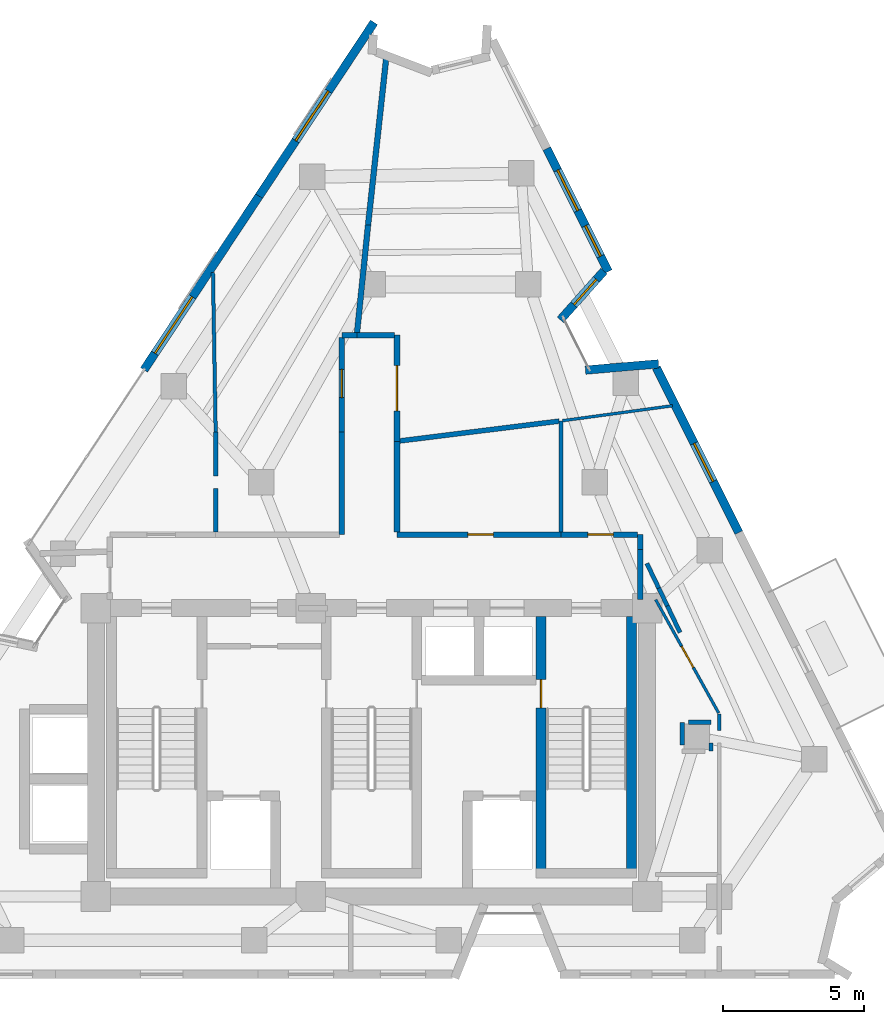
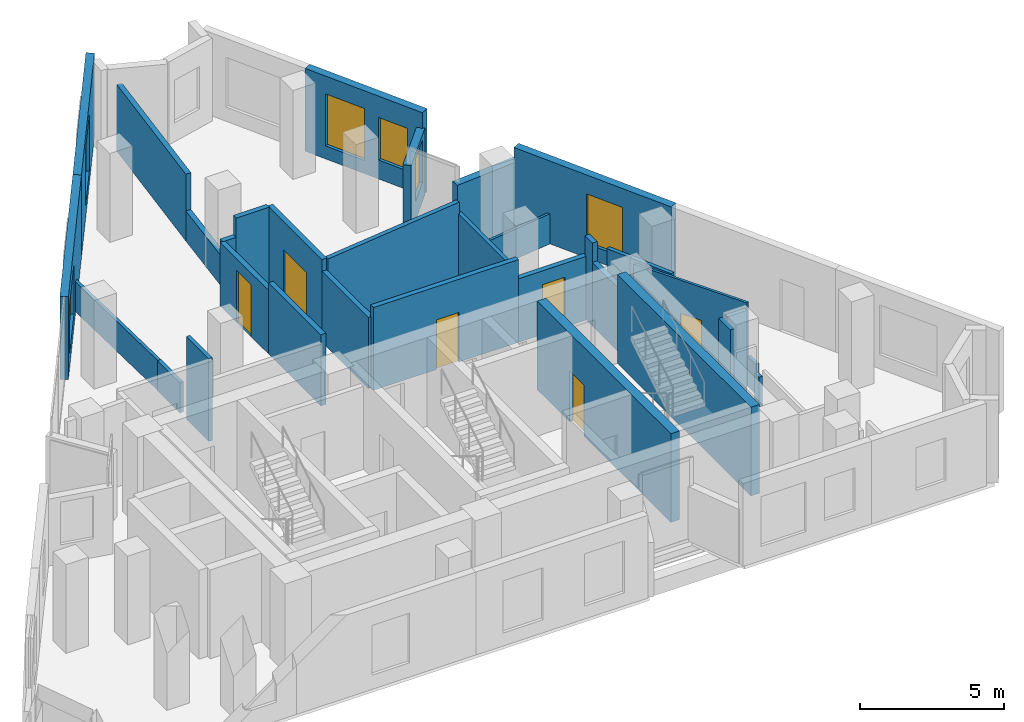
# One storey, part 6 of 9: 34 walls, 6 doors, 6 windows, 12 openings.
"""IFC4 building model written with IfcOpenShell, lengths in metres."""

from ifc_helpers import new_model, si_unit, direction, frame, frame_2d, origin, place, context, subcontext, project, spatial, rectangle, extrude, material, layer, layer_set, type_object, element, fill, save


model = new_model("IFC4")

# Units and contexts
model_context = context("Model", 3, precision=1e-05, world=origin(), true_north=direction((0.0, 1.0)))
body_context = subcontext(model_context, "Body", "Model", "MODEL_VIEW")
ifc_project = project(units=[si_unit("LENGTHUNIT", "METRE"), si_unit("AREAUNIT", "SQUARE_METRE"), si_unit("VOLUMEUNIT", "CUBIC_METRE"), si_unit("PLANEANGLEUNIT", "RADIAN"), si_unit("MASSUNIT", "GRAM", prefix="KILO")], contexts=[model_context])

# Site, building, storey
site_placement = place(None, origin())
site = spatial("IfcSite", under=ifc_project, at=site_placement, CompositionType="ELEMENT")
building_placement = place(site_placement, origin())
building = spatial("IfcBuilding", under=site, at=building_placement, Name="Almagre Mirador Tower", CompositionType="ELEMENT")
storey_placement = place(building_placement, frame((0.0, 0.0, 267.0)))
storey = spatial("IfcBuildingStorey", under=building, at=storey_placement, Name="L69", CompositionType="ELEMENT", Elevation=267.0)

# Wall, opening, window
ifc_material_1 = material(Name="Precast concrete C50/60", Category="concrete")
ifc_layer_1 = layer(ifc_material_1, 0.300048828125)
ifc_layer_set_1 = layer_set([ifc_layer_1], Name="Precast concrete C50/60")
wall_type_1 = type_object("IfcWallType", Name="WAL-EXT-300", PredefinedType="SOLIDWALL", material=ifc_layer_set_1)
wall_1_placement = place(storey_placement, frame((29.254638671875, 23.17578125, 0.0), z_axis=(0.0, 0.0, 1.0), x_axis=(0.552090496284, 0.833784195048, 0.0)))
wall_1 = element("IfcWall", 1, at=wall_1_placement, inside=storey, type_object=wall_type_1, Name="L69 expressed almagre precast frame wall 03", PredefinedType="SOLIDWALL", context=body_context, shape_type="SweptSolid", body=[
    extrude(rectangle(XDim=7.369384765625, YDim=0.300048828125, at=frame_2d((3.6845703125, 0.0))), origin(), (0.0, 0.0, 1.0), 3.5),
])
opening_1_placement = place(wall_1_placement, frame((0.699951171875, 0.0, 0.60009765625)))
opening_1 = element("IfcOpeningElement", 2, at=opening_1_placement, cuts=wall_1, Name="Opening WN-02", PredefinedType="OPENING", context=body_context, shape_type="SweptSolid", body=[
    extrude(rectangle(XDim=2.39990234375, YDim=2.10009765625, at=frame_2d((1.199951171875, 1.050048828125))), frame((0.0, 0.159902, 0.0), z_axis=(0.0, -1.0, 0.0), x_axis=(1.0, 0.0, 0.0)), (0.0, 0.0, 1.0), 0.320049),
])
ifc_material_2 = material(Name="Dark solar-control laminated hurricane glass", Category="glass")
window_type_1 = type_object("IfcWindowType", Name="WIN-2400X2100", PartitioningType="TRIPLE_PANEL_VERTICAL", PredefinedType="WINDOW", material=ifc_material_2)
window_1_placement = place(opening_1_placement, origin())
window_1 = element("IfcWindow", 3, at=window_1_placement, inside=storey, type_object=window_type_1, Name="L69 recessed hurricane window L69-UG-KT", OverallHeight=2.10009765625, OverallWidth=2.39990234375, PartitioningType="SINGLE_PANEL", PredefinedType="WINDOW", context=body_context, shape_type="SweptSolid", body=[
    extrude(rectangle(XDim=2.39990234375, YDim=2.10009765625, at=frame_2d((1.199951171875, 1.050048828125))), frame((0.0, 0.030029296875, 0.0), z_axis=(0.0, -1.0, 0.0), x_axis=(1.0, 0.0, 0.0)), (0.0, 0.0, 1.0), 0.06005859375),
])
fill(opening_1, window_1)

wall_2_placement = place(storey_placement, frame((33.3232421875, 29.3203125, 0.0), z_axis=(0.0, 0.0, 1.0), x_axis=(0.552098276909, 0.833779043053, 0.0)))
wall_2 = element("IfcWall", 4, at=wall_2_placement, inside=storey, type_object=wall_type_1, Name="L69 expressed almagre precast frame wall 04", PredefinedType="SOLIDWALL", context=body_context, shape_type="SweptSolid", body=[
    extrude(rectangle(XDim=7.369873046875, YDim=0.300048828125, at=frame_2d((3.68505859375, 0.0))), origin(), (0.0, 0.0, 1.0), 3.5),
])
opening_2_placement = place(wall_2_placement, frame((2.35009765625, 0.0, 0.550048828125)))
opening_2 = element("IfcOpeningElement", 5, at=opening_2_placement, cuts=wall_2, Name="Opening WN-05", PredefinedType="OPENING", context=body_context, shape_type="SweptSolid", body=[
    extrude(rectangle(XDim=2.10009765625, YDim=2.39990234375, at=frame_2d((1.050048828125, 1.199951171875))), frame((0.0, 0.159902, 0.0), z_axis=(0.0, -1.0, 0.0), x_axis=(1.0, 0.0, 0.0)), (0.0, 0.0, 1.0), 0.320049),
])
ifc_material_3 = material(Name="Dark solar-control laminated hurricane glass", Category="glass")
window_type_2 = type_object("IfcWindowType", Name="WIN-2100X2400", PartitioningType="DOUBLE_PANEL_VERTICAL", PredefinedType="WINDOW", material=ifc_material_3)
window_2_placement = place(opening_2_placement, origin())
window_2 = element("IfcWindow", 6, at=window_2_placement, inside=storey, type_object=window_type_2, Name="L69 recessed hurricane window L69-UG-ST", OverallHeight=2.39990234375, OverallWidth=2.10009765625, PartitioningType="SINGLE_PANEL", PredefinedType="WINDOW", context=body_context, shape_type="SweptSolid", body=[
    extrude(rectangle(XDim=2.10009765625, YDim=2.39990234375, at=frame_2d((1.050048828125, 1.199951171875))), frame((0.0, 0.030029296875, 0.0), z_axis=(0.0, -1.0, 0.0), x_axis=(1.0, 0.0, 0.0)), (0.0, 0.0, 1.0), 0.06005859375),
])
fill(opening_2, window_2)

# Wall, openings, windows
wall_3_placement = place(storey_placement, frame((43.5009765625, 30.99853515625, 0.0), z_axis=(0.0, 0.0, 1.0), x_axis=(0.447253766039, -0.894407104603, 0.0)))
wall_3 = element("IfcWall", 7, at=wall_3_placement, inside=storey, type_object=wall_type_1, Name="L69 expressed almagre precast frame wall 10", PredefinedType="SOLIDWALL", context=body_context, shape_type="SweptSolid", body=[
    extrude(rectangle(XDim=4.862060546875, YDim=0.300048828125, at=frame_2d((2.43115234375, 0.0))), origin(), (0.0, 0.0, 1.0), 3.5),
])
opening_3_placement = place(wall_3_placement, frame((3.050048828125, 0.0, 0.800048828125)))
opening_3 = element("IfcOpeningElement", 8, at=opening_3_placement, cuts=wall_3, Name="Opening WN-04", PredefinedType="OPENING", context=body_context, shape_type="SweptSolid", body=[
    extrude(rectangle(XDim=1.199951171875, YDim=1.800048828125, at=frame_2d((0.60009765625, 0.89990234375))), frame((0.0, 0.159902, 0.0), z_axis=(0.0, -1.0, 0.0), x_axis=(1.0, 0.0, 0.0)), (0.0, 0.0, 1.0), 0.320049),
])
opening_4_placement = place(wall_3_placement, frame((0.85009765625, 0.0, 0.550048828125)))
opening_4 = element("IfcOpeningElement", 9, at=opening_4_placement, cuts=wall_3, Name="Opening WN-06", PredefinedType="OPENING", context=body_context, shape_type="SweptSolid", body=[
    extrude(rectangle(XDim=1.60009765625, YDim=2.199951171875, at=frame_2d((0.800048828125, 1.10009765625))), frame((0.0, 0.159902, 0.0), z_axis=(0.0, -1.0, 0.0), x_axis=(1.0, 0.0, 0.0)), (0.0, 0.0, 1.0), 0.320049),
])
ifc_material_4 = material(Name="Dark solar-control laminated hurricane glass", Category="glass")
window_type_3 = type_object("IfcWindowType", Name="WIN-1200X1800", PartitioningType="SINGLE_PANEL", PredefinedType="WINDOW", material=ifc_material_4)
window_3_placement = place(opening_3_placement, origin())
window_3 = element("IfcWindow", 10, at=window_3_placement, inside=storey, type_object=window_type_3, Name="L69 recessed hurricane window L69-RST-H", OverallHeight=1.800048828125, OverallWidth=1.199951171875, PartitioningType="SINGLE_PANEL", PredefinedType="WINDOW", context=body_context, shape_type="SweptSolid", body=[
    extrude(rectangle(XDim=1.199951171875, YDim=1.800048828125, at=frame_2d((0.60009765625, 0.89990234375))), frame((0.0, 0.030029296875, 0.0), z_axis=(0.0, -1.0, 0.0), x_axis=(1.0, 0.0, 0.0)), (0.0, 0.0, 1.0), 0.06005859375),
])
fill(opening_3, window_3)
ifc_material_5 = material(Name="Dark solar-control laminated hurricane glass", Category="glass")
window_type_4 = type_object("IfcWindowType", Name="WIN-1600X2200", PartitioningType="DOUBLE_PANEL_VERTICAL", PredefinedType="WINDOW", material=ifc_material_5)
window_4_placement = place(opening_4_placement, origin())
window_4 = element("IfcWindow", 11, at=window_4_placement, inside=storey, type_object=window_type_4, Name="L69 recessed hurricane window L69-RST-J", OverallHeight=2.199951171875, OverallWidth=1.60009765625, PartitioningType="SINGLE_PANEL", PredefinedType="WINDOW", context=body_context, shape_type="SweptSolid", body=[
    extrude(rectangle(XDim=1.60009765625, YDim=2.199951171875, at=frame_2d((0.800048828125, 1.10009765625))), frame((0.0, 0.030029296875, 0.0), z_axis=(0.0, -1.0, 0.0), x_axis=(1.0, 0.0, 0.0)), (0.0, 0.0, 1.0), 0.06005859375),
])
fill(opening_4, window_4)

# Wall, opening, window
wall_4_placement = place(storey_placement, frame((45.519775390625, 26.670654296875, 0.0), z_axis=(0.0, 0.0, 1.0), x_axis=(-0.665776781555, -0.746150974765, 0.0)))
wall_4 = element("IfcWall", 12, at=wall_4_placement, inside=storey, type_object=wall_type_1, Name="L69 expressed almagre precast frame wall 11", PredefinedType="SOLIDWALL", context=body_context, shape_type="SweptSolid", body=[
    extrude(rectangle(XDim=2.314697265625, YDim=0.300048828125, at=frame_2d((1.1572265625, 0.0))), origin(), (0.0, 0.0, 1.0), 2.824951171875),
])
opening_5_placement = place(wall_4_placement, frame((0.39501953125, 0.0, 0.800048828125)))
opening_5 = element("IfcOpeningElement", 13, at=opening_5_placement, cuts=wall_4, Name="Opening WN-04", PredefinedType="OPENING", context=body_context, shape_type="SweptSolid", body=[
    extrude(rectangle(XDim=1.199951171875, YDim=1.800048828125, at=frame_2d((0.60009765625, 0.89990234375))), frame((0.0, 0.159902, 0.0), z_axis=(0.0, -1.0, 0.0), x_axis=(1.0, 0.0, 0.0)), (0.0, 0.0, 1.0), 0.320049),
])
window_5_placement = place(opening_5_placement, origin())
window_5 = element("IfcWindow", 14, at=window_5_placement, inside=storey, type_object=window_type_3, Name="L69 recessed hurricane window L69-RST-H", OverallHeight=1.800048828125, OverallWidth=1.199951171875, PartitioningType="SINGLE_PANEL", PredefinedType="WINDOW", context=body_context, shape_type="SweptSolid", body=[
    extrude(rectangle(XDim=1.199951171875, YDim=1.800048828125, at=frame_2d((0.60009765625, 0.89990234375))), frame((0.0, 0.030029296875, 0.0), z_axis=(0.0, -1.0, 0.0), x_axis=(1.0, 0.0, 0.0)), (0.0, 0.0, 1.0), 0.06005859375),
])
fill(opening_5, window_5)

# Wall
wall_5_placement = place(storey_placement, frame((44.867431640625, 23.1669921875, 0.0), z_axis=(0.0, 0.0, 1.0), x_axis=(0.996364250233, 0.085195544828, 0.0)))
element("IfcWall", 15, at=wall_5_placement, inside=storey, type_object=wall_type_1, Name="L69 expressed almagre precast frame wall 12", PredefinedType="SOLIDWALL", context=body_context, shape_type="SweptSolid", body=[
    extrude(rectangle(XDim=2.593505859375, YDim=0.300048828125, at=frame_2d((1.296875, 0.0))), origin(), (0.0, 0.0, 1.0), 2.824951171875),
])

# Wall, opening, window
wall_6_placement = place(storey_placement, frame((47.372314453125, 23.255126953125, 0.0), z_axis=(0.0, 0.0, 1.0), x_axis=(0.447228560422, -0.894419708382, 0.0)))
wall_6 = element("IfcWall", 16, at=wall_6_placement, inside=storey, type_object=wall_type_1, Name="L69 expressed almagre precast frame wall 13", PredefinedType="SOLIDWALL", context=body_context, shape_type="SweptSolid", body=[
    extrude(rectangle(XDim=6.525634765625, YDim=0.300048828125, at=frame_2d((3.2626953125, 0.0))), origin(), (0.0, 0.0, 1.0), 3.5),
])
opening_6_placement = place(wall_6_placement, frame((3.0, 0.0, 0.60009765625)))
opening_6 = element("IfcOpeningElement", 17, at=opening_6_placement, cuts=wall_6, Name="Opening WN-03", PredefinedType="OPENING", context=body_context, shape_type="SweptSolid", body=[
    extrude(rectangle(XDim=1.5, YDim=2.10009765625, at=frame_2d((0.75, 1.050048828125))), frame((0.0, 0.159902, 0.0), z_axis=(0.0, -1.0, 0.0), x_axis=(1.0, 0.0, 0.0)), (0.0, 0.0, 1.0), 0.320049),
])
ifc_material_6 = material(Name="Dark solar-control laminated hurricane glass", Category="glass")
window_type_5 = type_object("IfcWindowType", Name="WIN-1500X2100", PartitioningType="DOUBLE_PANEL_VERTICAL", PredefinedType="WINDOW", material=ifc_material_6)
window_6_placement = place(opening_6_placement, origin())
window_6 = element("IfcWindow", 18, at=window_6_placement, inside=storey, type_object=window_type_5, Name="L69 recessed hurricane window L69-RST-E", OverallHeight=2.10009765625, OverallWidth=1.5, PartitioningType="SINGLE_PANEL", PredefinedType="WINDOW", context=body_context, shape_type="SweptSolid", body=[
    extrude(rectangle(XDim=1.5, YDim=2.10009765625, at=frame_2d((0.75, 1.050048828125))), frame((0.0, 0.030029296875, 0.0), z_axis=(0.0, -1.0, 0.0), x_axis=(1.0, 0.0, 0.0)), (0.0, 0.0, 1.0), 0.06005859375),
])
fill(opening_6, window_6)

# Wall
ifc_material_7 = material(Name="Gypsum acoustic stud partition", Category="other")
ifc_layer_2 = layer(ifc_material_7, 0.10009765625)
ifc_layer_set_2 = layer_set([ifc_layer_2], Name="Gypsum acoustic stud partition")
wall_type_2 = type_object("IfcWallType", Name="WAL-PRT-100-CLS", PredefinedType="PARTITIONING", material=ifc_layer_set_2)
wall_7_placement = place(storey_placement, frame((47.943115234375, 21.906005859375, 0.0), z_axis=(0.0, 0.0, 1.0), x_axis=(-0.990881270046, -0.134737925889, 0.0)))
element("IfcWall", 19, at=wall_7_placement, inside=storey, type_object=wall_type_2, Name="L69 interior partition 035", PredefinedType="PARTITIONING", context=body_context, shape_type="SweptSolid", body=[
    extrude(rectangle(XDim=3.919189453125, YDim=0.10009765625, at=frame_2d((1.95947265625, 0.0))), origin(), (0.0, 0.0, 1.0), 1.27001953125),
])

# Wall, opening, door
wall_8_placement = place(storey_placement, frame((49.576904296875, 11.04150390625, 0.0), z_axis=(0.0, 0.0, 1.0), x_axis=(-0.485615807912, 0.874172344052, 0.0)))
wall_8 = element("IfcWall", 20, at=wall_8_placement, inside=storey, type_object=wall_type_2, Name="L69 interior partition 044", PredefinedType="PARTITIONING", context=body_context, shape_type="SweptSolid", body=[
    extrude(rectangle(XDim=4.58544921875, YDim=0.10009765625, at=frame_2d((2.292724609375, 0.0))), origin(), (0.0, 0.0, 1.0), 3.5),
])
opening_7_placement = place(wall_8_placement, frame((1.843994140625, 0.0, 0.0)))
opening_7 = element("IfcOpeningElement", 21, at=opening_7_placement, cuts=wall_8, Name="Opening UD-04", PredefinedType="OPENING", context=body_context, shape_type="SweptSolid", body=[
    extrude(rectangle(XDim=0.85009765625, YDim=2.10009765625, at=frame_2d((0.425048828125, 1.050048828125))), frame((0.0, 0.060049, 0.0), z_axis=(0.0, -1.0, 0.0), x_axis=(1.0, 0.0, 0.0)), (0.0, 0.0, 1.0), 0.120098),
])
ifc_material_8 = material(Name="Moisture-resistant oak timber", Category="wood")
door_type_1 = type_object("IfcDoorType", Name="DOR-UNR-850X2100", OperationType="NOTDEFINED", PredefinedType="DOOR", material=ifc_material_8)
door_1_placement = place(opening_7_placement, origin())
door_1 = element("IfcDoor", 22, at=door_1_placement, inside=storey, type_object=door_type_1, Name="DR-2108 L69 interior door L69-UC-KT to L69-RST-E", OperationType="SINGLE_SWING_RIGHT", OverallHeight=2.10009765625, OverallWidth=0.85009765625, PredefinedType="DOOR", context=body_context, shape_type="SweptSolid", body=[
    extrude(rectangle(XDim=0.85009765625, YDim=2.10009765625, at=frame_2d((0.425048828125, 1.050048828125))), frame((0.0, 0.02490234375, 0.0), z_axis=(0.0, -1.0, 0.0), x_axis=(1.0, 0.0, 0.0)), (0.0, 0.0, 1.0), 0.050048828125),
])
fill(opening_7, door_1)

# Walls
ifc_material_9 = material(Name="Gypsum acoustic stud partition", Category="other")
ifc_layer_3 = layer(ifc_material_9, 0.125)
ifc_layer_set_3 = layer_set([ifc_layer_3], Name="Gypsum acoustic stud partition")
wall_type_3 = type_object("IfcWallType", Name="WAL-PRT-125-UTL", PredefinedType="PARTITIONING", material=ifc_layer_set_3)
wall_9_placement = place(storey_placement, frame((49.60009765625, 11.0, 0.0), z_axis=(0.0, 0.0, 1.0), x_axis=(0.0, -1.0, 0.0)))
element("IfcWall", 23, at=wall_9_placement, inside=storey, type_object=wall_type_3, Name="L69 interior partition 028", PredefinedType="PARTITIONING", context=body_context, shape_type="SweptSolid", body=[
    extrude(rectangle(XDim=0.580078125, YDim=0.125, at=frame_2d((0.2900390625, 0.0))), origin(), (0.0, 0.0, 1.0), 1.27001953125),
])
wall_10_placement = place(storey_placement, frame((31.694091796875, 26.6259765625, 0.0), z_axis=(0.0, 0.0, 1.0), x_axis=(0.016991406417, -0.999855635633, 0.0)))
element("IfcWall", 24, at=wall_10_placement, inside=storey, type_object=wall_type_3, Name="L69 interior partition 037", PredefinedType="PARTITIONING", context=body_context, shape_type="SweptSolid", body=[
    extrude(rectangle(XDim=5.646728515625, YDim=0.125, at=frame_2d((2.8232421875, 0.0))), origin(), (0.0, 0.0, 1.0), 1.27001953125),
])
ifc_material_10 = material(Name="Gypsum acoustic stud partition", Category="other")
ifc_layer_4 = layer(ifc_material_10, 0.14990234375)
ifc_layer_set_4 = layer_set([ifc_layer_4], Name="Gypsum acoustic stud partition")
wall_type_4 = type_object("IfcWallType", Name="WAL-PRT-150-STD", PredefinedType="PARTITIONING", material=ifc_layer_set_4)
wall_11_placement = place(storey_placement, frame((44.0, 21.3701171875, 0.0), z_axis=(0.0, 0.0, 1.0), x_axis=(0.0, -1.0, 0.0)))
element("IfcWall", 25, at=wall_11_placement, inside=storey, type_object=wall_type_4, Name="L69 interior partition 034", PredefinedType="PARTITIONING", context=body_context, shape_type="SweptSolid", body=[
    extrude(rectangle(XDim=3.93505859375, YDim=0.14990234375, at=frame_2d((1.967529296875, 0.0))), origin(), (0.0, 0.0, 1.0), 3.0029296875),
])
wall_12_placement = place(storey_placement, frame((31.7900390625, 17.43505859375, 0.0), z_axis=(0.0, 0.0, 1.0), x_axis=(0.0, 1.0, 0.0)))
element("IfcWall", 26, at=wall_12_placement, inside=storey, type_object=wall_type_4, Name="L69 interior partition 041", PredefinedType="PARTITIONING", context=body_context, shape_type="SweptSolid", body=[
    extrude(rectangle(XDim=1.544921875, YDim=0.14990234375, at=frame_2d((0.7724609375, 0.0))), origin(), (0.0, 0.0, 1.0), 3.5),
])
wall_13_placement = place(storey_placement, frame((31.7900390625, 19.419921875, 0.0), z_axis=(0.0, 0.0, 1.0), x_axis=(0.0, 1.0, 0.0)))
element("IfcWall", 27, at=wall_13_placement, inside=storey, type_object=wall_type_4, Name="L69 interior partition 042", PredefinedType="PARTITIONING", context=body_context, shape_type="SweptSolid", body=[
    extrude(rectangle(XDim=1.56005859375, YDim=0.14990234375, at=frame_2d((0.780029296875, 0.0))), origin(), (0.0, 0.0, 1.0), 1.27001953125),
])
wall_14_placement = place(storey_placement, frame((49.31005859375, 9.97998046875, 0.0), z_axis=(0.0, 0.0, 1.0), x_axis=(0.0, -1.0, 0.0)))
element("IfcWall", 28, at=wall_14_placement, inside=storey, type_object=wall_type_4, Name="L69 interior partition 046", PredefinedType="PARTITIONING", context=body_context, shape_type="SweptSolid", body=[
    extrude(rectangle(XDim=0.2900390625, YDim=0.14990234375, at=frame_2d((0.14501953125, 0.0))), origin(), (0.0, 0.0, 1.0), 1.27001953125),
])
wall_15_placement = place(storey_placement, frame((48.2900390625, 9.905029296875, 0.0), z_axis=(0.0, 0.0, 1.0), x_axis=(0.0, 1.0, 0.0)))
element("IfcWall", 29, at=wall_15_placement, inside=storey, type_object=wall_type_4, Name="L69 interior partition 048", PredefinedType="PARTITIONING", context=body_context, shape_type="SweptSolid", body=[
    extrude(rectangle(XDim=0.804931640625, YDim=0.14990234375, at=frame_2d((0.40234375, 0.0))), origin(), (0.0, 0.0, 1.0), 3.5),
])
wall_16_placement = place(storey_placement, frame((48.5048828125, 10.7099609375, 0.0), z_axis=(0.0, 0.0, 1.0), x_axis=(1.0, 0.0, 0.0)))
element("IfcWall", 30, at=wall_16_placement, inside=storey, type_object=wall_type_4, Name="L69 interior partition 049", PredefinedType="PARTITIONING", context=body_context, shape_type="SweptSolid", body=[
    extrude(rectangle(XDim=0.80517578125, YDim=0.14990234375, at=frame_2d((0.402587890625, 0.0))), origin(), (0.0, 0.0, 1.0), 3.5),
])
wall_17_placement = place(storey_placement, frame((48.212890625, 13.886962890625, 0.0), z_axis=(0.0, 0.0, 1.0), x_axis=(-0.432511235762, 0.901628543769, 0.0)))
element("IfcWall", 31, at=wall_17_placement, inside=storey, type_object=wall_type_4, Name="L69 interior partition 050", PredefinedType="PARTITIONING", context=body_context, shape_type="SweptSolid", body=[
    extrude(rectangle(XDim=1.047119140625, YDim=0.14990234375, at=frame_2d((0.5234375, 0.0))), origin(), (0.0, 0.0, 1.0), 3.5),
])
wall_18_placement = place(storey_placement, frame((47.4580078125, 15.4599609375, 0.0), z_axis=(0.0, 0.0, 1.0), x_axis=(-0.432994161926, 0.901396724943, 0.0)))
element("IfcWall", 32, at=wall_18_placement, inside=storey, type_object=wall_type_4, Name="L69 interior partition 051", PredefinedType="PARTITIONING", context=body_context, shape_type="SweptSolid", body=[
    extrude(rectangle(XDim=0.96533203125, YDim=0.14990234375, at=frame_2d((0.482666015625, 0.0))), origin(), (0.0, 0.0, 1.0), 3.5),
])
wall_19_placement = place(storey_placement, frame((47.760009765625, 14.8310546875, 0.0), z_axis=(0.0, 0.0, 1.0), x_axis=(-0.432878956865, 0.901452055687, 0.0)))
element("IfcWall", 33, at=wall_19_placement, inside=storey, type_object=wall_type_4, Name="L69 interior partition 052", PredefinedType="PARTITIONING", context=body_context, shape_type="SweptSolid", body=[
    extrude(rectangle(XDim=0.69775390625, YDim=0.14990234375, at=frame_2d((0.348876953125, 0.0))), origin(), (0.0, 0.0, 1.0), 3.5),
])
ifc_material_11 = material(Name="Gypsum acoustic stud partition", Category="other")
ifc_layer_5 = layer(ifc_material_11, 0.175048828125)
ifc_layer_set_5 = layer_set([ifc_layer_5], Name="Gypsum acoustic stud partition")
wall_type_5 = type_object("IfcWallType", Name="WAL-PRT-175-AC", PredefinedType="PARTITIONING", material=ifc_layer_set_5)
wall_20_placement = place(storey_placement, frame((43.9404296875, 21.362548828125, 0.0), z_axis=(0.0, 0.0, 1.0), x_axis=(-0.992382306152, -0.123196422173, 0.0)))
element("IfcWall", 34, at=wall_20_placement, inside=storey, type_object=wall_type_5, Name="L69 interior partition 036", PredefinedType="PARTITIONING", context=body_context, shape_type="SweptSolid", body=[
    extrude(rectangle(XDim=5.699462890625, YDim=0.175048828125, at=frame_2d((2.849609375, 0.0))), origin(), (0.0, 0.0, 1.0), 3.5),
])
ifc_material_12 = material(Name="Gypsum acoustic stud partition", Category="other")
ifc_layer_6 = layer(ifc_material_12, 0.199951171875)
ifc_layer_set_6 = layer_set([ifc_layer_6], Name="Gypsum acoustic stud partition")
wall_type_6 = type_object("IfcWallType", Name="WAL-PRT-200-EI60", PredefinedType="PARTITIONING", material=ifc_layer_set_6)
wall_21_placement = place(storey_placement, frame((46.800048828125, 15.050048828125, 0.0), z_axis=(0.0, 0.0, 1.0), x_axis=(0.0, 1.0, 0.0)))
element("IfcWall", 35, at=wall_21_placement, inside=storey, type_object=wall_type_6, Name="L69 interior partition 001", PredefinedType="PARTITIONING", context=body_context, shape_type="SweptSolid", body=[
    extrude(rectangle(XDim=1.780029296875, YDim=0.199951171875, at=frame_2d((0.89013671875, 0.0))), origin(), (0.0, 0.0, 1.0), 2.68505859375),
])
wall_22_placement = place(storey_placement, frame((46.800048828125, 16.830078125, 0.0), z_axis=(0.0, 0.0, 1.0), x_axis=(0.0, 1.0, 0.0)))
element("IfcWall", 36, at=wall_22_placement, inside=storey, type_object=wall_type_6, Name="L69 interior partition 003", PredefinedType="PARTITIONING", context=body_context, shape_type="SweptSolid", body=[
    extrude(rectangle(XDim=0.52001953125, YDim=0.199951171875, at=frame_2d((0.260009765625, 0.0))), origin(), (0.0, 0.0, 1.0), 3.5),
])

# Wall, opening, door
wall_23_placement = place(storey_placement, frame((46.715087890625, 17.35009765625, 0.0), z_axis=(0.0, 0.0, 1.0), x_axis=(-1.0, 0.0, 0.0)))
wall_23 = element("IfcWall", 37, at=wall_23_placement, inside=storey, type_object=wall_type_6, Name="L69 interior partition 004", PredefinedType="PARTITIONING", context=body_context, shape_type="SweptSolid", body=[
    extrude(rectangle(XDim=2.715087890625, YDim=0.199951171875, at=frame_2d((1.357421875, 0.0))), origin(), (0.0, 0.0, 1.0), 2.68505859375),
])
opening_8_placement = place(wall_23_placement, frame((0.864990234375, 0.0, 0.0)))
opening_8 = element("IfcOpeningElement", 38, at=opening_8_placement, cuts=wall_23, Name="Opening ID-03", PredefinedType="OPENING", context=body_context, shape_type="SweptSolid", body=[
    extrude(rectangle(XDim=0.89990234375, YDim=2.10009765625, at=frame_2d((0.449951171875, 1.050048828125))), frame((0.0, 0.110098, 0.0), z_axis=(0.0, -1.0, 0.0), x_axis=(1.0, 0.0, 0.0)), (0.0, 0.0, 1.0), 0.219951),
])
ifc_material_13 = material(Name="Fire-rated hollow steel", Category="steel")
door_type_2 = type_object("IfcDoorType", Name="DOR-FD60-900X2100", OperationType="NOTDEFINED", PredefinedType="DOOR", material=ifc_material_13)
door_2_placement = place(opening_8_placement, origin())
door_2 = element("IfcDoor", 39, at=door_2_placement, inside=storey, type_object=door_type_2, Name="DR-2103 L69 interior door L69-RCOR to L69-RST-E", OperationType="SINGLE_SWING_RIGHT", OverallHeight=2.10009765625, OverallWidth=0.89990234375, PredefinedType="DOOR", context=body_context, shape_type="SweptSolid", body=[
    extrude(rectangle(XDim=0.89990234375, YDim=2.10009765625, at=frame_2d((0.449951171875, 1.050048828125))), frame((0.0, 0.02490234375, 0.0), z_axis=(0.0, -1.0, 0.0), x_axis=(1.0, 0.0, 0.0)), (0.0, 0.0, 1.0), 0.050048828125),
])
fill(opening_8, door_2)

wall_24_placement = place(storey_placement, frame((44.0, 17.35009765625, 0.0), z_axis=(0.0, 0.0, 1.0), x_axis=(-1.0, 0.0, 0.0)))
wall_24 = element("IfcWall", 40, at=wall_24_placement, inside=storey, type_object=wall_type_6, Name="L69 interior partition 005", PredefinedType="PARTITIONING", context=body_context, shape_type="SweptSolid", body=[
    extrude(rectangle(XDim=5.800048828125, YDim=0.199951171875, at=frame_2d((2.89990234375, 0.0))), origin(), (0.0, 0.0, 1.0), 3.5),
])
opening_9_placement = place(wall_24_placement, frame((2.390869140625, 0.0, 0.0)))
opening_9 = element("IfcOpeningElement", 41, at=opening_9_placement, cuts=wall_24, Name="Opening ID-03", PredefinedType="OPENING", context=body_context, shape_type="SweptSolid", body=[
    extrude(rectangle(XDim=0.89990234375, YDim=2.10009765625, at=frame_2d((0.449951171875, 1.050048828125))), frame((0.0, 0.110098, 0.0), z_axis=(0.0, -1.0, 0.0), x_axis=(1.0, 0.0, 0.0)), (0.0, 0.0, 1.0), 0.219951),
])
door_3_placement = place(opening_9_placement, origin())
door_3 = element("IfcDoor", 42, at=door_3_placement, inside=storey, type_object=door_type_2, Name="DR-2104 L69 interior door L69-RCOR to L69-RST-F", OperationType="SINGLE_SWING_LEFT", OverallHeight=2.10009765625, OverallWidth=0.89990234375, PredefinedType="DOOR", context=body_context, shape_type="SweptSolid", body=[
    extrude(rectangle(XDim=0.89990234375, YDim=2.10009765625, at=frame_2d((0.449951171875, 1.050048828125))), frame((0.0, 0.02490234375, 0.0), z_axis=(0.0, -1.0, 0.0), x_axis=(1.0, 0.0, 0.0)), (0.0, 0.0, 1.0), 0.050048828125),
])
fill(opening_9, door_3)

# Walls
wall_25_placement = place(storey_placement, frame((38.199951171875, 17.43505859375, 0.0), z_axis=(0.0, 0.0, 1.0), x_axis=(0.0, 1.0, 0.0)))
element("IfcWall", 43, at=wall_25_placement, inside=storey, type_object=wall_type_6, Name="L69 interior partition 006", PredefinedType="PARTITIONING", context=body_context, shape_type="SweptSolid", body=[
    extrude(rectangle(XDim=3.21484375, YDim=0.199951171875, at=frame_2d((1.607421875, 0.0))), origin(), (0.0, 0.0, 1.0), 3.0029296875),
])
wall_26_placement = place(storey_placement, frame((36.780029296875, 24.39990234375, 0.0), z_axis=(0.0, 0.0, 1.0), x_axis=(-1.0, 0.0, 0.0)))
element("IfcWall", 44, at=wall_26_placement, inside=storey, type_object=wall_type_6, Name="L69 interior partition 007", PredefinedType="PARTITIONING", context=body_context, shape_type="SweptSolid", body=[
    extrude(rectangle(XDim=0.530029296875, YDim=0.199951171875, at=frame_2d((0.26513671875, 0.0))), origin(), (0.0, 0.0, 1.0), 2.68505859375),
])

# Wall, opening, door
wall_27_placement = place(storey_placement, frame((36.25, 24.31494140625, 0.0), z_axis=(0.0, 0.0, 1.0), x_axis=(0.0, -1.0, 0.0)))
wall_27 = element("IfcWall", 45, at=wall_27_placement, inside=storey, type_object=wall_type_6, Name="L69 interior partition 008", PredefinedType="PARTITIONING", context=body_context, shape_type="SweptSolid", body=[
    extrude(rectangle(XDim=3.3349609375, YDim=0.199951171875, at=frame_2d((1.66748046875, 0.0))), origin(), (0.0, 0.0, 1.0), 2.68505859375),
])
opening_10_placement = place(wall_27_placement, frame((1.125, 0.0, 0.0)))
opening_10 = element("IfcOpeningElement", 46, at=opening_10_placement, cuts=wall_27, Name="Opening ID-01", PredefinedType="OPENING", context=body_context, shape_type="SweptSolid", body=[
    extrude(rectangle(XDim=1.0, YDim=2.199951171875, at=frame_2d((0.5, 1.10009765625))), frame((0.0, 0.110098, 0.0), z_axis=(0.0, -1.0, 0.0), x_axis=(1.0, 0.0, 0.0)), (0.0, 0.0, 1.0), 0.219951),
])
ifc_material_14 = material(Name="Fire-rated walnut timber", Category="wood")
door_type_3 = type_object("IfcDoorType", Name="DOR-FD60-1000X2200", OperationType="NOTDEFINED", PredefinedType="DOOR", material=ifc_material_14)
door_4_placement = place(opening_10_placement, origin())
door_4 = element("IfcDoor", 47, at=door_4_placement, inside=storey, type_object=door_type_3, Name="DR-2106 L69 interior door L69-RCOR to L69-UG-ST", OperationType="SINGLE_SWING_LEFT", OverallHeight=2.199951171875, OverallWidth=1.0, PredefinedType="DOOR", context=body_context, shape_type="SweptSolid", body=[
    extrude(rectangle(XDim=1.0, YDim=2.199951171875, at=frame_2d((0.5, 1.10009765625))), frame((0.0, 0.02490234375, 0.0), z_axis=(0.0, -1.0, 0.0), x_axis=(1.0, 0.0, 0.0)), (0.0, 0.0, 1.0), 0.050048828125),
])
fill(opening_10, door_4)

# Wall
wall_28_placement = place(storey_placement, frame((36.25, 20.97998046875, 0.0), z_axis=(0.0, 0.0, 1.0), x_axis=(0.0, -1.0, 0.0)))
element("IfcWall", 48, at=wall_28_placement, inside=storey, type_object=wall_type_6, Name="L69 interior partition 011", PredefinedType="PARTITIONING", context=body_context, shape_type="SweptSolid", body=[
    extrude(rectangle(XDim=3.6298828125, YDim=0.199951171875, at=frame_2d((1.81494140625, 0.0))), origin(), (0.0, 0.0, 1.0), 3.0029296875),
])

# Wall, opening, door
wall_29_placement = place(storey_placement, frame((38.199951171875, 20.64990234375, 0.0), z_axis=(0.0, 0.0, 1.0), x_axis=(0.0, 1.0, 0.0)))
wall_29 = element("IfcWall", 49, at=wall_29_placement, inside=storey, type_object=wall_type_6, Name="L69 interior partition 013", PredefinedType="PARTITIONING", context=body_context, shape_type="SweptSolid", body=[
    extrude(rectangle(XDim=3.75, YDim=0.199951171875, at=frame_2d((1.875, 0.0))), origin(), (0.0, 0.0, 1.0), 3.5),
])
opening_11_placement = place(wall_29_placement, frame((1.074951171875, 0.0, 0.0)))
opening_11 = element("IfcOpeningElement", 50, at=opening_11_placement, cuts=wall_29, Name="Opening ID-05", PredefinedType="OPENING", context=body_context, shape_type="SweptSolid", body=[
    extrude(rectangle(XDim=1.60009765625, YDim=2.300048828125, at=frame_2d((0.800048828125, 1.14990234375))), frame((0.0, 0.110098, 0.0), z_axis=(0.0, -1.0, 0.0), x_axis=(1.0, 0.0, 0.0)), (0.0, 0.0, 1.0), 0.219951),
])
ifc_material_15 = material(Name="Fire-rated acoustic timber", Category="wood")
door_type_4 = type_object("IfcDoorType", Name="DOR-FD60-1600X2300", OperationType="DOUBLE_DOOR_SINGLE_SWING", PredefinedType="DOOR", material=ifc_material_15)
door_5_placement = place(opening_11_placement, origin())
door_5 = element("IfcDoor", 51, at=door_5_placement, inside=storey, type_object=door_type_4, Name="DR-2105 L69 interior door L69-RCOR to L69-RST-H", OperationType="DOUBLE_DOOR_SINGLE_SWING", OverallHeight=2.300048828125, OverallWidth=1.60009765625, PredefinedType="DOOR", context=body_context, shape_type="SweptSolid", body=[
    extrude(rectangle(XDim=1.60009765625, YDim=2.300048828125, at=frame_2d((0.800048828125, 1.14990234375))), frame((0.0, 0.02490234375, 0.0), z_axis=(0.0, -1.0, 0.0), x_axis=(1.0, 0.0, 0.0)), (0.0, 0.0, 1.0), 0.050048828125),
])
fill(opening_11, door_5)

# Walls
wall_30_placement = place(storey_placement, frame((38.114990234375, 24.39990234375, 0.0), z_axis=(0.0, 0.0, 1.0), x_axis=(-1.0, 0.0, 0.0)))
element("IfcWall", 52, at=wall_30_placement, inside=storey, type_object=wall_type_6, Name="L69 interior partition 014", PredefinedType="PARTITIONING", context=body_context, shape_type="SweptSolid", body=[
    extrude(rectangle(XDim=1.3349609375, YDim=0.199951171875, at=frame_2d((0.66748046875, 0.0))), origin(), (0.0, 0.0, 1.0), 3.5),
])
wall_31_placement = place(storey_placement, frame((36.788818359375, 24.484619140625, 0.0), z_axis=(0.0, 0.0, 1.0), x_axis=(0.101973949661, 0.994787069473, 0.0)))
element("IfcWall", 53, at=wall_31_placement, inside=storey, type_object=wall_type_6, Name="L69 interior partition 039", PredefinedType="PARTITIONING", context=body_context, shape_type="SweptSolid", body=[
    extrude(rectangle(XDim=3.83544921875, YDim=0.199951171875, at=frame_2d((1.917724609375, 0.0))), origin(), (0.0, 0.0, 1.0), 1.27001953125),
])
wall_32_placement = place(storey_placement, frame((37.179931640625, 28.300048828125, 0.0), z_axis=(0.0, 0.0, 1.0), x_axis=(0.107902440791, 0.994161487522, 0.0)))
element("IfcWall", 54, at=wall_32_placement, inside=storey, type_object=wall_type_6, Name="L69 interior partition 040", PredefinedType="PARTITIONING", context=body_context, shape_type="SweptSolid", body=[
    extrude(rectangle(XDim=5.923583984375, YDim=0.199951171875, at=frame_2d((2.9619140625, 0.0))), origin(), (0.0, 0.0, 1.0), 2.820068359375),
])

# Wall, opening, door
ifc_material_16 = material(Name="Concrete C60/75", Category="concrete")
ifc_layer_7 = layer(ifc_material_16, 0.35009765625)
ifc_layer_set_7 = layer_set([ifc_layer_7], Name="Concrete C60/75")
wall_type_7 = type_object("IfcWallType", Name="WAL-SHF-350", PredefinedType="SOLIDWALL", material=ifc_layer_set_7)
wall_33_placement = place(storey_placement, frame((43.300048828125, 5.199951171875, 0.0), z_axis=(0.0, 0.0, 1.0), x_axis=(0.0, 1.0, 0.0)))
wall_33 = element("IfcWall", 55, at=wall_33_placement, inside=storey, type_object=wall_type_7, Name="L69 shaft wall ST3-W", PredefinedType="SOLIDWALL", context=body_context, shape_type="SweptSolid", body=[
    extrude(rectangle(XDim=9.25, YDim=0.35009765625, at=frame_2d((4.625, 0.0))), origin(), (0.0, 0.0, 1.0), 3.75),
])
opening_12_placement = place(wall_33_placement, frame((6.02001953125, 0.0, 0.0)))
opening_12 = element("IfcOpeningElement", 56, at=opening_12_placement, cuts=wall_33, Name="Opening FD-01", PredefinedType="OPENING", context=body_context, shape_type="SweptSolid", body=[
    extrude(rectangle(XDim=1.0, YDim=2.14990234375, at=frame_2d((0.5, 1.074951171875))), frame((0.0, 0.185049, 0.0), z_axis=(0.0, -1.0, 0.0), x_axis=(1.0, 0.0, 0.0)), (0.0, 0.0, 1.0), 0.370098),
])
ifc_material_17 = material(Name="Fire-rated hollow steel", Category="steel")
door_type_5 = type_object("IfcDoorType", Name="DOR-FFL-1000X2150", OperationType="NOTDEFINED", PredefinedType="DOOR", material=ifc_material_17)
door_6_placement = place(opening_12_placement, origin())
door_6 = element("IfcDoor", 57, at=door_6_placement, inside=storey, type_object=door_type_5, Name="DR-2101 L69 FFL2-ST3 smokeproof door", OperationType="SINGLE_SWING_RIGHT", OverallHeight=2.14990234375, OverallWidth=1.0, PredefinedType="DOOR", context=body_context, shape_type="SweptSolid", body=[
    extrude(rectangle(XDim=1.0, YDim=2.14990234375, at=frame_2d((0.5, 1.074951171875))), frame((0.0, 0.02490234375, 0.0), z_axis=(0.0, -1.0, 0.0), x_axis=(1.0, 0.0, 0.0)), (0.0, 0.0, 1.0), 0.050048828125),
])
fill(opening_12, door_6)

# Wall
wall_34_placement = place(storey_placement, frame((46.5, 5.199951171875, 0.0), z_axis=(0.0, 0.0, 1.0), x_axis=(0.0, 1.0, 0.0)))
element("IfcWall", 58, at=wall_34_placement, inside=storey, type_object=wall_type_7, Name="L69 shaft wall ST3-E", PredefinedType="SOLIDWALL", context=body_context, shape_type="SweptSolid", body=[
    extrude(rectangle(XDim=9.25, YDim=0.35009765625, at=frame_2d((4.625, 0.0))), origin(), (0.0, 0.0, 1.0), 3.75),
])

save(model, "model.ifc")
